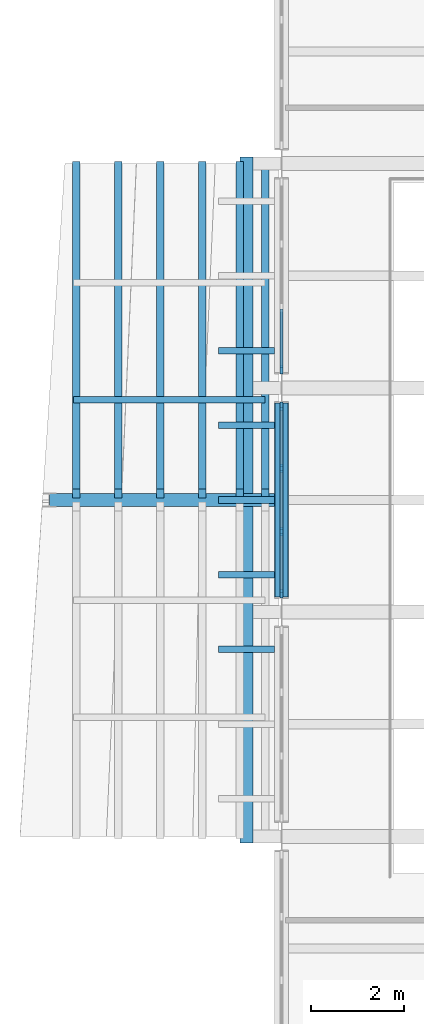
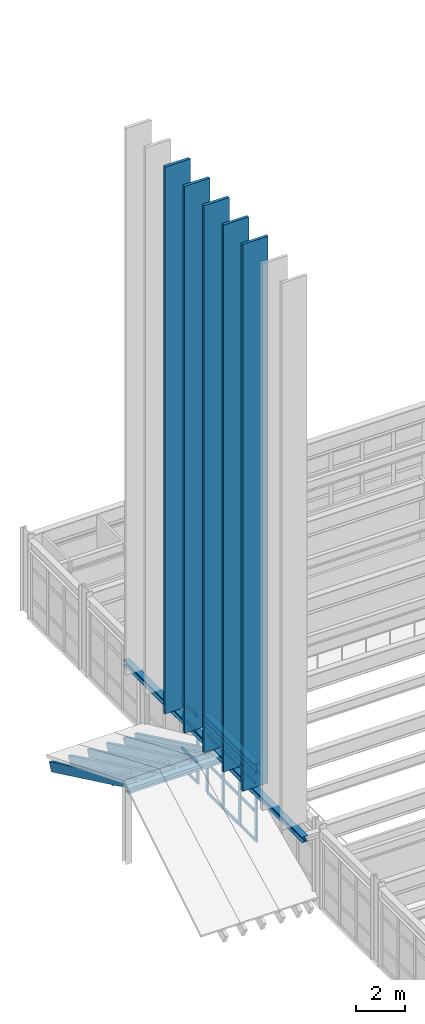
# One storey, part 42 of 99: 30 members, 4 beams, 2 elements without a shape of their own.
"""IFC4 building model written with IfcOpenShell, lengths in metres."""

from ifc_helpers import new_model, si_unit, direction, frame, origin, origin_2d, place, context, subcontext, project, spatial, rectangle, i_section, extrude, material, layer, layer_set, material_profile, profile_set, type_object, element, aggregate, save


model = new_model("IFC4")

# Units and contexts
model_context = context("Model", 3, precision=1e-05, world=origin(), true_north=direction((0.0, 1.0)))
body_context = subcontext(model_context, "Body", "Model", "MODEL_VIEW")
ifc_project = project(units=[si_unit("LENGTHUNIT", "METRE"), si_unit("AREAUNIT", "SQUARE_METRE"), si_unit("VOLUMEUNIT", "CUBIC_METRE"), si_unit("PLANEANGLEUNIT", "RADIAN"), si_unit("MASSUNIT", "GRAM", prefix="KILO")], contexts=[model_context])

# Site, building, storey
site_placement = place(None, origin())
site = spatial("IfcSite", under=ifc_project, at=site_placement, CompositionType="ELEMENT")
building_placement = place(site_placement, origin())
building = spatial("IfcBuilding", under=site, at=building_placement, Name="Nordkorset Police Headquarters", CompositionType="ELEMENT")
storey_placement = place(building_placement, frame((0.0, 0.0, 5.25)))
storey = spatial("IfcBuildingStorey", under=building, at=storey_placement, Name="L01", CompositionType="ELEMENT", Elevation=5.25)

# Curtain wall, members
ifc_material_1 = material(Name="Aluminium alloy AW-6060", Category="aluminium")
ifc_layer_1 = layer(ifc_material_1, 0.179931640625, Name="Aluminium alloy AW-6060")
ifc_layer_set_1 = layer_set([ifc_layer_1], Name="Aluminium alloy AW-6060")
curtain_wall_type_1 = type_object("IfcCurtainWallType", Name="CW_Unit_408x294", PredefinedType="USERDEFINED", material=ifc_layer_set_1)
curtain_wall_1_placement = place(storey_placement, origin())
curtain_wall_1 = element("IfcCurtainWall", 1, at=curtain_wall_1_placement, inside=storey, type_object=curtain_wall_type_1, Name="Unitised Curtain Wall L01 V1W-3", ObjectType="UNITISED CURTAIN WALL", PredefinedType="USERDEFINED")
ifc_material_2 = material(Name="Aluminium alloy AW-6060", Category="aluminium")
ifc_material_profile_1 = material_profile(ifc_material_2, rectangle(XDim=0.06494140625, YDim=0.179931640625, at=origin_2d()), Name="ALU MULL 65x180")
ifc_profile_set_1 = profile_set([ifc_material_profile_1], Name="Aluminium alloy AW-6060")
member_type_1 = type_object("IfcMemberType", Name="CW_Mullion_65x180", PredefinedType="MULLION", material=ifc_profile_set_1)
member_1_placement = place(storey_placement, frame((0.0, 97.992431640625, 0.0), z_axis=(0.0, 0.0, 1.0), x_axis=(-1.0, 0.0, 0.0)))
member_1 = element("IfcMember", 2, at=member_1_placement, type_object=member_type_1, Name="CW-33 mullion 1", PredefinedType="MULLION", context=body_context, shape_type="SweptSolid", body=[
    extrude(rectangle(XDim=0.06494140625, YDim=0.179931640625, at=origin_2d()), origin(), (0.0, 0.0, 1.0), 2.945068359375),
])
member_2_placement = place(storey_placement, frame((0.0, 99.320068359375, 0.0), z_axis=(0.0, 0.0, 1.0), x_axis=(-1.0, 0.0, 0.0)))
member_2 = element("IfcMember", 3, at=member_2_placement, type_object=member_type_1, Name="CW-33 mullion 2", PredefinedType="MULLION", context=body_context, shape_type="SweptSolid", body=[
    extrude(rectangle(XDim=0.06494140625, YDim=0.179931640625, at=origin_2d()), origin(), (0.0, 0.0, 1.0), 2.945068359375),
])
member_3_placement = place(storey_placement, frame((0.0, 100.679931640625, 0.0), z_axis=(0.0, 0.0, 1.0), x_axis=(-1.0, 0.0, 0.0)))
member_3 = element("IfcMember", 4, at=member_3_placement, type_object=member_type_1, Name="CW-33 mullion 3", PredefinedType="MULLION", context=body_context, shape_type="SweptSolid", body=[
    extrude(rectangle(XDim=0.06494140625, YDim=0.179931640625, at=origin_2d()), origin(), (0.0, 0.0, 1.0), 2.945068359375),
])
member_4_placement = place(storey_placement, frame((0.0, 102.007568359375, 0.0), z_axis=(0.0, 0.0, 1.0), x_axis=(-1.0, 0.0, 0.0)))
member_4 = element("IfcMember", 5, at=member_4_placement, type_object=member_type_1, Name="CW-33 mullion 4", PredefinedType="MULLION", context=body_context, shape_type="SweptSolid", body=[
    extrude(rectangle(XDim=0.06494140625, YDim=0.179931640625, at=origin_2d()), origin(), (0.0, 0.0, 1.0), 2.945068359375),
])

# Curtain wall, member
ifc_material_3 = material(Name="Aluminium alloy AW-6060", Category="aluminium")
ifc_layer_2 = layer(ifc_material_3, 0.179931640625, Name="Aluminium alloy AW-6060")
ifc_layer_set_2 = layer_set([ifc_layer_2], Name="Aluminium alloy AW-6060")
curtain_wall_type_2 = type_object("IfcCurtainWallType", Name="CW_Unit_408x340", PredefinedType="USERDEFINED", material=ifc_layer_set_2)
curtain_wall_2_placement = place(storey_placement, origin())
curtain_wall_2 = element("IfcCurtainWall", 6, at=curtain_wall_2_placement, inside=storey, type_object=curtain_wall_type_2, Name="Unitised Curtain Wall L01 V1W-4", ObjectType="UNITISED CURTAIN WALL", PredefinedType="USERDEFINED")
member_5_placement = place(storey_placement, frame((0.0, 102.79248046875, 0.0), z_axis=(0.0, 0.0, 1.0), x_axis=(-1.0, 0.0, 0.0)))
member_5 = element("IfcMember", 7, at=member_5_placement, type_object=member_type_1, Name="CW-75 mullion 1", PredefinedType="MULLION", context=body_context, shape_type="SweptSolid", body=[
    extrude(rectangle(XDim=0.06494140625, YDim=0.179931640625, at=origin_2d()), origin(), (0.0, 0.0, 1.0), 3.39990234375),
])

# Member
ifc_material_4 = material(Name="Aluminium alloy AW-6060", Category="aluminium")
ifc_material_profile_2 = material_profile(ifc_material_4, rectangle(XDim=0.06494140625, YDim=0.139892578125, at=origin_2d()), Name="ALU TRAN 65x140")
ifc_profile_set_2 = profile_set([ifc_material_profile_2], Name="Aluminium alloy AW-6060")
member_type_2 = type_object("IfcMemberType", Name="CW_Transom_65x140", PredefinedType="USERDEFINED", material=ifc_profile_set_2)
member_6_placement = place(storey_placement, frame((0.0, 98.02490234375, 0.032470703125), z_axis=(0.0, 1.0, 0.0), x_axis=(-1.0, 0.0, 0.0)))
member_6 = element("IfcMember", 8, at=member_6_placement, type_object=member_type_2, Name="CW-33 transom 1.1", ObjectType="TRANSOM", PredefinedType="USERDEFINED", context=body_context, shape_type="SweptSolid", body=[
    extrude(rectangle(XDim=0.06494140625, YDim=0.139892578125, at=origin_2d()), origin(), (0.0, 0.0, 1.0), 1.2626953125),
])

member_7_placement = place(storey_placement, frame((0.0, 98.02490234375, 1.472412109375), z_axis=(0.0, 1.0, 0.0), x_axis=(-1.0, 0.0, 0.0)))
member_7 = element("IfcMember", 9, at=member_7_placement, type_object=member_type_2, Name="CW-33 transom 1.2", ObjectType="TRANSOM", PredefinedType="USERDEFINED", context=body_context, shape_type="SweptSolid", body=[
    extrude(rectangle(XDim=0.06494140625, YDim=0.139892578125, at=origin_2d()), origin(), (0.0, 0.0, 1.0), 1.2626953125),
])

member_8_placement = place(storey_placement, frame((0.0, 98.02490234375, 2.91259765625), z_axis=(0.0, 1.0, 0.0), x_axis=(-1.0, 0.0, 0.0)))
member_8 = element("IfcMember", 10, at=member_8_placement, type_object=member_type_2, Name="CW-33 transom 1.3", ObjectType="TRANSOM", PredefinedType="USERDEFINED", context=body_context, shape_type="SweptSolid", body=[
    extrude(rectangle(XDim=0.06494140625, YDim=0.139892578125, at=origin_2d()), origin(), (0.0, 0.0, 1.0), 1.2626953125),
])

member_9_placement = place(storey_placement, frame((0.0, 99.3525390625, 0.032470703125), z_axis=(0.0, 1.0, 0.0), x_axis=(-1.0, 0.0, 0.0)))
member_9 = element("IfcMember", 11, at=member_9_placement, type_object=member_type_2, Name="CW-33 transom 2.1", ObjectType="TRANSOM", PredefinedType="USERDEFINED", context=body_context, shape_type="SweptSolid", body=[
    extrude(rectangle(XDim=0.06494140625, YDim=0.139892578125, at=origin_2d()), origin(), (0.0, 0.0, 1.0), 1.294921875),
])

member_10_placement = place(storey_placement, frame((0.0, 99.3525390625, 1.472412109375), z_axis=(0.0, 1.0, 0.0), x_axis=(-1.0, 0.0, 0.0)))
member_10 = element("IfcMember", 12, at=member_10_placement, type_object=member_type_2, Name="CW-33 transom 2.2", ObjectType="TRANSOM", PredefinedType="USERDEFINED", context=body_context, shape_type="SweptSolid", body=[
    extrude(rectangle(XDim=0.06494140625, YDim=0.139892578125, at=origin_2d()), origin(), (0.0, 0.0, 1.0), 1.294921875),
])

member_11_placement = place(storey_placement, frame((0.0, 99.3525390625, 2.91259765625), z_axis=(0.0, 1.0, 0.0), x_axis=(-1.0, 0.0, 0.0)))
member_11 = element("IfcMember", 13, at=member_11_placement, type_object=member_type_2, Name="CW-33 transom 2.3", ObjectType="TRANSOM", PredefinedType="USERDEFINED", context=body_context, shape_type="SweptSolid", body=[
    extrude(rectangle(XDim=0.06494140625, YDim=0.139892578125, at=origin_2d()), origin(), (0.0, 0.0, 1.0), 1.294921875),
])

member_12_placement = place(storey_placement, frame((0.0, 100.71240234375, 0.032470703125), z_axis=(0.0, 1.0, 0.0), x_axis=(-1.0, 0.0, 0.0)))
member_12 = element("IfcMember", 14, at=member_12_placement, type_object=member_type_2, Name="CW-33 transom 3.1", ObjectType="TRANSOM", PredefinedType="USERDEFINED", context=body_context, shape_type="SweptSolid", body=[
    extrude(rectangle(XDim=0.06494140625, YDim=0.139892578125, at=origin_2d()), origin(), (0.0, 0.0, 1.0), 1.2626953125),
])

member_13_placement = place(storey_placement, frame((0.0, 100.71240234375, 1.472412109375), z_axis=(0.0, 1.0, 0.0), x_axis=(-1.0, 0.0, 0.0)))
member_13 = element("IfcMember", 15, at=member_13_placement, type_object=member_type_2, Name="CW-33 transom 3.2", ObjectType="TRANSOM", PredefinedType="USERDEFINED", context=body_context, shape_type="SweptSolid", body=[
    extrude(rectangle(XDim=0.06494140625, YDim=0.139892578125, at=origin_2d()), origin(), (0.0, 0.0, 1.0), 1.2626953125),
])

member_14_placement = place(storey_placement, frame((0.0, 100.71240234375, 2.91259765625), z_axis=(0.0, 1.0, 0.0), x_axis=(-1.0, 0.0, 0.0)))
member_14 = element("IfcMember", 16, at=member_14_placement, type_object=member_type_2, Name="CW-33 transom 3.3", ObjectType="TRANSOM", PredefinedType="USERDEFINED", context=body_context, shape_type="SweptSolid", body=[
    extrude(rectangle(XDim=0.06494140625, YDim=0.139892578125, at=origin_2d()), origin(), (0.0, 0.0, 1.0), 1.2626953125),
])

aggregate(curtain_wall_1, [member_1, member_2, member_3, member_4, member_6, member_7, member_8, member_9, member_10, member_11, member_12, member_13, member_14])

member_15_placement = place(storey_placement, frame((0.0, 102.824951171875, 0.032470703125), z_axis=(0.0, 1.0, 0.0), x_axis=(-1.0, 0.0, 0.0)))
member_15 = element("IfcMember", 17, at=member_15_placement, type_object=member_type_2, Name="CW-75 transom 1.1", ObjectType="TRANSOM", PredefinedType="USERDEFINED", context=body_context, shape_type="SweptSolid", body=[
    extrude(rectangle(XDim=0.06494140625, YDim=0.139892578125, at=origin_2d()), origin(), (0.0, 0.0, 1.0), 1.262451171875),
])

member_16_placement = place(storey_placement, frame((0.0, 102.824951171875, 1.0), z_axis=(0.0, 1.0, 0.0), x_axis=(-1.0, 0.0, 0.0)))
member_16 = element("IfcMember", 18, at=member_16_placement, type_object=member_type_2, Name="CW-75 transom 1.2", ObjectType="TRANSOM", PredefinedType="USERDEFINED", context=body_context, shape_type="SweptSolid", body=[
    extrude(rectangle(XDim=0.06494140625, YDim=0.139892578125, at=origin_2d()), origin(), (0.0, 0.0, 1.0), 1.262451171875),
])

member_17_placement = place(storey_placement, frame((0.0, 102.824951171875, 2.550048828125), z_axis=(0.0, 1.0, 0.0), x_axis=(-1.0, 0.0, 0.0)))
member_17 = element("IfcMember", 19, at=member_17_placement, type_object=member_type_2, Name="CW-75 transom 1.3", ObjectType="TRANSOM", PredefinedType="USERDEFINED", context=body_context, shape_type="SweptSolid", body=[
    extrude(rectangle(XDim=0.06494140625, YDim=0.139892578125, at=origin_2d()), origin(), (0.0, 0.0, 1.0), 1.262451171875),
])

member_18_placement = place(storey_placement, frame((0.0, 102.824951171875, 3.367431640625), z_axis=(0.0, 1.0, 0.0), x_axis=(-1.0, 0.0, 0.0)))
member_18 = element("IfcMember", 20, at=member_18_placement, type_object=member_type_2, Name="CW-75 transom 1.4", ObjectType="TRANSOM", PredefinedType="USERDEFINED", context=body_context, shape_type="SweptSolid", body=[
    extrude(rectangle(XDim=0.06494140625, YDim=0.139892578125, at=origin_2d()), origin(), (0.0, 0.0, 1.0), 1.262451171875),
])

aggregate(curtain_wall_2, [member_5, member_15, member_16, member_17, member_18])

# Beam
ifc_material_5 = material(Name="Steel S355J2", Category="steel")
ifc_material_profile_3 = material_profile(ifc_material_5, i_section(OverallWidth=0.300048828125, OverallDepth=0.5400390625, WebThickness=0.012451171875, FlangeThickness=0.02392578125, FilletRadius=0.027099609375, at=origin_2d()), Name="HEA 550")
ifc_profile_set_3 = profile_set([ifc_material_profile_3], Name="Steel S355J2")
beam_type_1 = type_object("IfcBeamType", Name="Girder_HEA_550", PredefinedType="USERDEFINED", material=ifc_profile_set_3)
beam_1_placement = place(storey_placement, frame((0.0, 97.925048828125, 3.68994140625), z_axis=(0.0, 1.0, 0.0), x_axis=(-1.0, 0.0, 0.0)))
element("IfcBeam", 21, at=beam_1_placement, inside=storey, type_object=beam_type_1, Name="Girder V1 L01 GY-0-3", ObjectType="GIRDER", PredefinedType="USERDEFINED", context=body_context, shape_type="SweptSolid", body=[
    extrude(i_section(OverallWidth=0.300048828125, OverallDepth=0.5400390625, WebThickness=0.012451171875, FlangeThickness=0.02392578125, FilletRadius=0.027099609375, at=origin_2d()), origin(), (0.0, 0.0, 1.0), 4.14990234375),
])

# Members
ifc_material_6 = material(Name="Glulam GL30c", Category="wood")
ifc_material_profile_4 = material_profile(ifc_material_6, rectangle(XDim=0.139892578125, YDim=1.199951171875, at=origin_2d()), Name="GL30C FIN 140x1200")
ifc_profile_set_4 = profile_set([ifc_material_profile_4], Name="Glulam GL30c")
member_type_3 = type_object("IfcMemberType", Name="Member_GlulamFin_140x1200", PredefinedType="USERDEFINED", material=ifc_profile_set_4)
for number, where, z_axis, x_axis, name in (
    (22, (-0.75, 96.800048828125, 3.735107421875), (0.0, 0.0, 1.0), (0.0, 1.0, 0.0), "Vertical Glulam Timber Fin West 009"),
    (23, (-0.75, 98.39990234375, 3.735107421875), (0.0, 0.0, 1.0), (0.0, 1.0, 0.0), "Vertical Glulam Timber Fin West 010"),
    (24, (-0.75, 100.0, 3.735107421875), (0.0, 0.0, 1.0), (0.0, 1.0, 0.0), "Vertical Glulam Timber Fin West 011"),
    (25, (-0.75, 101.60009765625, 3.735107421875), (0.0, 0.0, 1.0), (0.0, 1.0, 0.0), "Vertical Glulam Timber Fin West 012"),
    (26, (-0.75, 103.199951171875, 3.735107421875), (0.0, 0.0, 1.0), (0.0, 1.0, 0.0), "Vertical Glulam Timber Fin West 013"),
):
    element("IfcMember", number, at=place(storey_placement, frame(where, z_axis=z_axis, x_axis=x_axis)), inside=storey, type_object=member_type_3, Name=name, ObjectType="VERTICAL TIMBER FIN", PredefinedType="USERDEFINED", context=body_context, shape_type="SweptSolid", body=[
        extrude(rectangle(XDim=0.139892578125, YDim=1.199951171875, at=origin_2d()), origin(), (0.0, 0.0, 1.0), 27.4248046875),
    ])
ifc_material_7 = material(Name="Glulam GL30c", Category="wood")
ifc_material_profile_5 = material_profile(ifc_material_7, rectangle(XDim=0.139892578125, YDim=0.360107421875, at=origin_2d()), Name="GL30c 140x360")
ifc_profile_set_5 = profile_set([ifc_material_profile_5], Name="Glulam GL30c")
member_type_4 = type_object("IfcMemberType", Name="Purlin_GL30c_140x360", PredefinedType="PURLIN", material=ifc_profile_set_5)
member_19_placement = place(storey_placement, frame((-4.449951171875, 102.14501953125, 2.034912109375), z_axis=(1.0, 0.0, 0.0), x_axis=(0.0, 1.0, 0.0)))
element("IfcMember", 27, at=member_19_placement, inside=storey, type_object=member_type_4, Name="Entrance Canopy Glulam Soffit Purlin N-2", PredefinedType="PURLIN", context=body_context, shape_type="SweptSolid", body=[
    extrude(rectangle(XDim=0.139892578125, YDim=0.360107421875, at=origin_2d()), origin(), (0.0, 0.0, 1.0), 4.099853515625),
])
ifc_material_8 = material(Name="Glulam GL30c", Category="wood")
ifc_material_profile_6 = material_profile(ifc_material_8, rectangle(XDim=0.159912109375, YDim=0.449951171875, at=origin_2d()), Name="GL30c 160x450")
ifc_profile_set_6 = profile_set([ifc_material_profile_6], Name="Glulam GL30c")
member_type_5 = type_object("IfcMemberType", Name="Rafter_GL30c_160x450", PredefinedType="RAFTER", material=ifc_profile_set_6)
for number, where, z_axis, x_axis, name in (
    (28, (-4.39990234375, 107.14990234375, -0.25), (0.0, -0.902260215171, 0.431191957391), (1.0, 0.0, 0.0), "Entrance Canopy Glulam Soffit Rib N"),
    (29, (-3.5, 107.14990234375, -0.25), (0.0, -0.902260215171, 0.431191957391), (1.0, 0.0, 0.0), "Entrance Canopy Glulam Soffit Rib N"),
    (30, (-2.60009765625, 107.14990234375, -0.25), (0.0, -0.902260215171, 0.431191957391), (1.0, 0.0, 0.0), "Entrance Canopy Glulam Soffit Rib N"),
    (31, (-1.699951171875, 107.14990234375, -0.25), (0.0, -0.902260215171, 0.431191957391), (1.0, 0.0, 0.0), "Entrance Canopy Glulam Soffit Rib N"),
    (32, (-0.89990234375, 107.14990234375, -0.25), (0.0, -0.902260215171, 0.431191957391), (1.0, 0.0, 0.0), "Entrance Canopy Glulam Soffit Rib N"),
    (33, (-0.35009765625, 107.14990234375, -0.25), (0.0, -0.902260215171, 0.431191957391), (1.0, 0.0, 0.0), "Entrance Canopy Glulam Soffit Rib N"),
):
    element("IfcMember", number, at=place(storey_placement, frame(where, z_axis=z_axis, x_axis=x_axis)), inside=storey, type_object=member_type_5, Name=name, PredefinedType="RAFTER", context=body_context, shape_type="SweptSolid", body=[
        extrude(rectangle(XDim=0.159912109375, YDim=0.449951171875, at=origin_2d()), origin(), (0.0, 0.0, 1.0), 7.769287109375),
    ])

# Beams
ifc_material_9 = material(Name="Steel S355J2", Category="steel")
ifc_material_profile_7 = material_profile(ifc_material_9, i_section(OverallWidth=0.280029296875, OverallDepth=0.27001953125, WebThickness=0.008056640625, FlangeThickness=0.012939453125, FilletRadius=0.02392578125, at=origin_2d()), Name="HEA 280")
ifc_profile_set_7 = profile_set([ifc_material_profile_7], Name="Steel S355J2")
beam_type_2 = type_object("IfcBeamType", Name="Spandrel_HEA_280", PredefinedType="SPANDREL", material=ifc_profile_set_7)
beam_2_placement = place(storey_placement, frame((0.0, 97.925048828125, 3.10009765625), z_axis=(0.0, 1.0, 0.0), x_axis=(-1.0, 0.0, 0.0)))
element("IfcBeam", 34, at=beam_2_placement, inside=storey, type_object=beam_type_2, Name="Canopy Facade Ridge Header Beam", PredefinedType="SPANDREL", context=body_context, shape_type="SweptSolid", body=[
    extrude(i_section(OverallWidth=0.280029296875, OverallDepth=0.27001953125, WebThickness=0.008056640625, FlangeThickness=0.012939453125, FilletRadius=0.02392578125, at=origin_2d()), origin(), (0.0, 0.0, 1.0), 4.14990234375),
])
beam_3_placement = place(storey_placement, frame((-4.964111328125, 100.0, 3.10009765625), z_axis=(1.0, 0.0, 0.0), x_axis=(0.0, 1.0, 0.0)))
element("IfcBeam", 35, at=beam_3_placement, inside=storey, type_object=beam_type_2, Name="Canopy Gable Ridge Beam", PredefinedType="SPANDREL", context=body_context, shape_type="SweptSolid", body=[
    extrude(i_section(OverallWidth=0.280029296875, OverallDepth=0.27001953125, WebThickness=0.008056640625, FlangeThickness=0.012939453125, FilletRadius=0.02392578125, at=origin_2d()), origin(), (0.0, 0.0, 1.0), 4.9560546875),
])
beam_4_placement = place(storey_placement, frame((-0.75, 92.659912109375, 3.60009765625), z_axis=(0.0, 1.0, 0.0), x_axis=(-1.0, 0.0, 0.0)))
element("IfcBeam", 36, at=beam_4_placement, inside=storey, type_object=beam_type_2, Name="Facade Fin Support Ledger West 1", PredefinedType="SPANDREL", context=body_context, shape_type="SweptSolid", body=[
    extrude(i_section(OverallWidth=0.280029296875, OverallDepth=0.27001953125, WebThickness=0.008056640625, FlangeThickness=0.012939453125, FilletRadius=0.02392578125, at=origin_2d()), origin(), (0.0, 0.0, 1.0), 14.68017578125),
])

save(model, "model.ifc")
